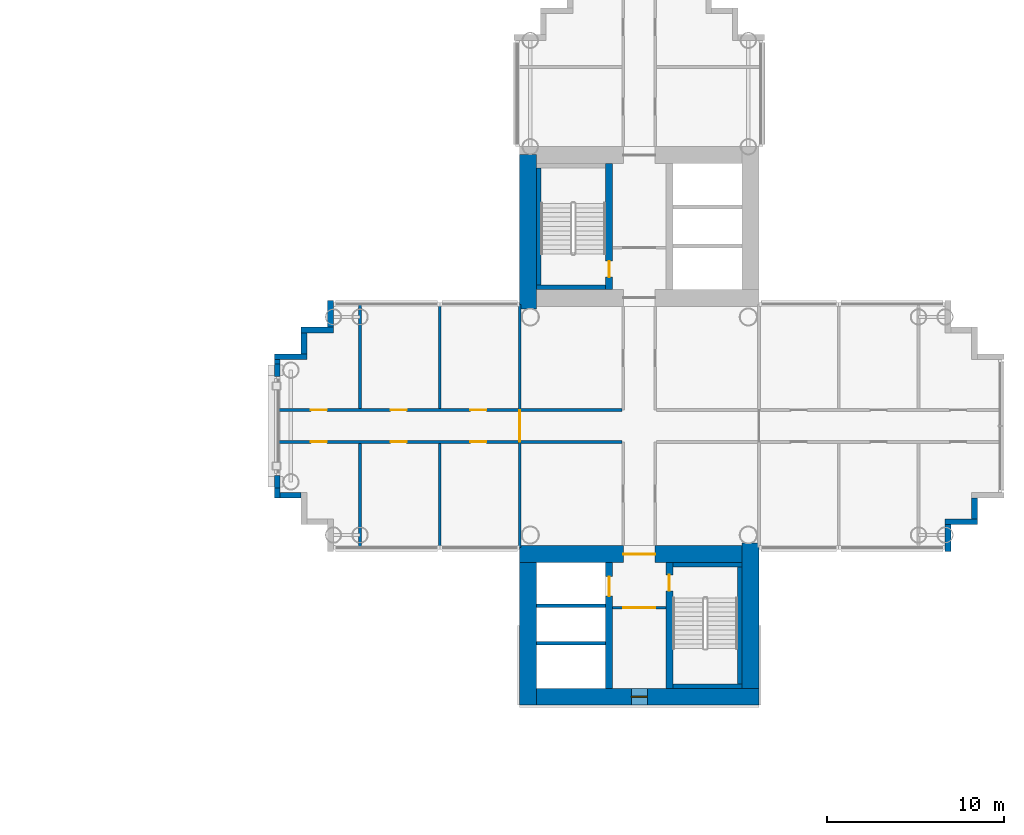
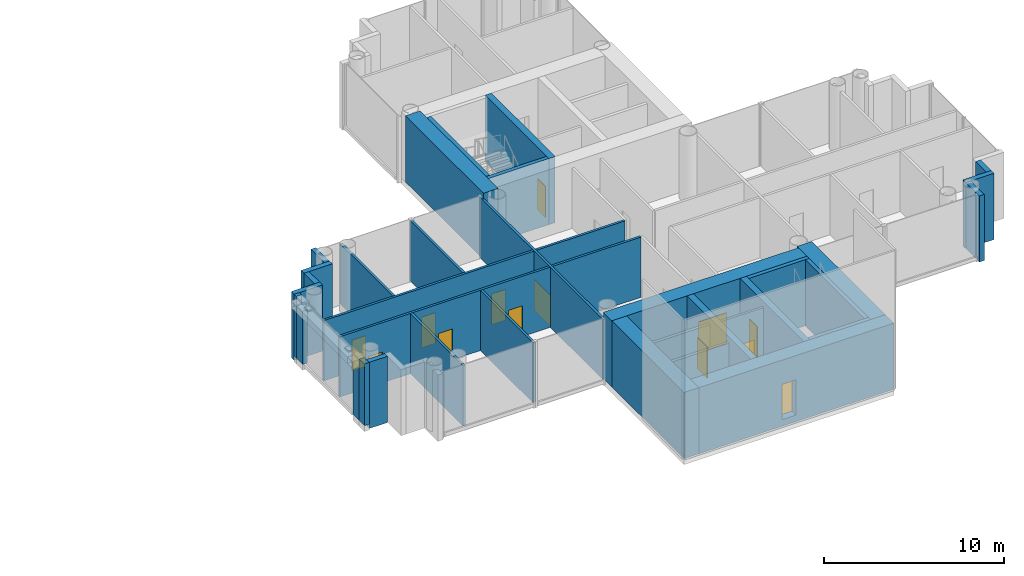
# One storey, part 13 of 20: 37 walls, 12 doors, 1 window, 13 openings.
"""IFC4 building model written with IfcOpenShell, lengths in metres."""

from ifc_helpers import new_model, si_unit, direction, frame, frame_2d, origin, place, context, subcontext, project, spatial, rectangle, extrude, material, layer, layer_set, type_object, element, fill, save


model = new_model("IFC4")

# Units and contexts
model_context = context("Model", 3, precision=1e-05, world=origin(), true_north=direction((0.0, 1.0)))
body_context = subcontext(model_context, "Body", "Model", "MODEL_VIEW")
ifc_project = project(units=[si_unit("LENGTHUNIT", "METRE"), si_unit("AREAUNIT", "SQUARE_METRE"), si_unit("VOLUMEUNIT", "CUBIC_METRE"), si_unit("PLANEANGLEUNIT", "RADIAN"), si_unit("MASSUNIT", "GRAM", prefix="KILO")], contexts=[model_context])

# Site, building, storey
site_placement = place(None, origin())
site = spatial("IfcSite", under=ifc_project, at=site_placement, CompositionType="ELEMENT")
building_placement = place(site_placement, origin())
building = spatial("IfcBuilding", under=site, at=building_placement, Name="Ipe Terrace Towers", CompositionType="ELEMENT")
storey_placement = place(building_placement, frame((0.0, 0.0, 124.199951171875)))
storey = spatial("IfcBuildingStorey", under=building, at=storey_placement, Name="L34", CompositionType="ELEMENT", Elevation=124.199951171875)

# Walls
ifc_material_1 = material(Name="Concrete C40/50 with buff precast cladding", Category="concrete")
ifc_layer_1 = layer(ifc_material_1, 0.320068359375)
ifc_layer_set_1 = layer_set([ifc_layer_1], Name="BUFF CLADDING WALL 320")
wall_type_1 = type_object("IfcWallType", Name="BUFF CLADDING WALL 320", PredefinedType="STANDARD", material=ifc_layer_set_1)
wall_1_placement = place(storey_placement, frame((53.409912109375, -7.070068359375, -0.300048828125), z_axis=(0.0, 0.0, 1.0), x_axis=(0.0, 1.0, 0.0)))
element("IfcWall", 1, at=wall_1_placement, inside=storey, type_object=wall_type_1, Name="T2-W-L34-04a wall", PredefinedType="STANDARD", context=body_context, shape_type="SweptSolid", body=[
    extrude(rectangle(XDim=1.5, YDim=0.320068359375, at=frame_2d((0.75, 0.0))), origin(), (0.0, 0.0, 1.0), 4.5),
])
wall_2_placement = place(storey_placement, frame((53.25, -5.409912109375, -0.300048828125), z_axis=(0.0, 0.0, 1.0), x_axis=(1.0, 0.0, 0.0)))
element("IfcWall", 2, at=wall_2_placement, inside=storey, type_object=wall_type_1, Name="T2-W-L34-05a wall", PredefinedType="STANDARD", context=body_context, shape_type="SweptSolid", body=[
    extrude(rectangle(XDim=1.820068359375, YDim=0.320068359375, at=frame_2d((0.91015625, 0.0))), origin(), (0.0, 0.0, 1.0), 4.5),
])
wall_3_placement = place(storey_placement, frame((54.909912109375, -5.25, -0.300048828125), z_axis=(0.0, 0.0, 1.0), x_axis=(0.0, 1.0, 0.0)))
element("IfcWall", 3, at=wall_3_placement, inside=storey, type_object=wall_type_1, Name="T2-W-L34-06a wall", PredefinedType="STANDARD", context=body_context, shape_type="SweptSolid", body=[
    extrude(rectangle(XDim=1.179931640625, YDim=0.320068359375, at=frame_2d((0.58984375, 0.0))), origin(), (0.0, 0.0, 1.0), 4.5),
])
wall_4_placement = place(storey_placement, frame((18.590087890625, 7.070068359375, -0.300048828125), z_axis=(0.0, 0.0, 1.0), x_axis=(0.0, -1.0, 0.0)))
element("IfcWall", 4, at=wall_4_placement, inside=storey, type_object=wall_type_1, Name="T2-W-L34-30a wall", PredefinedType="STANDARD", context=body_context, shape_type="SweptSolid", body=[
    extrude(rectangle(XDim=1.5, YDim=0.320068359375, at=frame_2d((0.75, 0.0))), origin(), (0.0, 0.0, 1.0), 4.5),
])
wall_5_placement = place(storey_placement, frame((18.75, 5.409912109375, -0.300048828125), z_axis=(0.0, 0.0, 1.0), x_axis=(-1.0, 0.0, 0.0)))
element("IfcWall", 5, at=wall_5_placement, inside=storey, type_object=wall_type_1, Name="T2-W-L34-31a wall", PredefinedType="STANDARD", context=body_context, shape_type="SweptSolid", body=[
    extrude(rectangle(XDim=1.820068359375, YDim=0.320068359375, at=frame_2d((0.91015625, 0.0))), origin(), (0.0, 0.0, 1.0), 4.5),
])
wall_6_placement = place(storey_placement, frame((17.090087890625, 5.25, -0.300048828125), z_axis=(0.0, 0.0, 1.0), x_axis=(0.0, -1.0, 0.0)))
element("IfcWall", 6, at=wall_6_placement, inside=storey, type_object=wall_type_1, Name="T2-W-L34-32a wall", PredefinedType="STANDARD", context=body_context, shape_type="SweptSolid", body=[
    extrude(rectangle(XDim=1.179931640625, YDim=0.320068359375, at=frame_2d((0.58984375, 0.0))), origin(), (0.0, 0.0, 1.0), 4.5),
])
wall_7_placement = place(storey_placement, frame((17.25, 3.909912109375, -0.300048828125), z_axis=(0.0, 0.0, 1.0), x_axis=(-1.0, 0.0, 0.0)))
element("IfcWall", 7, at=wall_7_placement, inside=storey, type_object=wall_type_1, Name="T2-W-L34-33a wall", PredefinedType="STANDARD", context=body_context, shape_type="SweptSolid", body=[
    extrude(rectangle(XDim=1.820068359375, YDim=0.320068359375, at=frame_2d((0.91015625, 0.0))), origin(), (0.0, 0.0, 1.0), 4.5),
])
wall_8_placement = place(storey_placement, frame((15.590087890625, 3.75, 0.0), z_axis=(0.0, 0.0, 1.0), x_axis=(0.0, -1.0, 0.0)))
element("IfcWall", 8, at=wall_8_placement, inside=storey, type_object=wall_type_1, Name="T2-W-L34-34a wall", PredefinedType="STANDARD", context=body_context, shape_type="SweptSolid", body=[
    extrude(rectangle(XDim=0.25, YDim=0.320068359375, at=frame_2d((0.125, 0.0))), origin(), (0.0, 0.0, 1.0), 4.199951171875),
])
for number, where, z_axis, x_axis, name in (
    (9, (15.590087890625, 3.5, 0.0), (0.0, 0.0, 1.0), (0.0, -1.0, 0.0), "T2-W-L34-34b wall"),
    (10, (15.590087890625, -2.800048828125, 0.0), (0.0, 0.0, 1.0), (0.0, -1.0, 0.0), "T2-W-L34-34e wall"),
):
    element("IfcWall", number, at=place(storey_placement, frame(where, z_axis=z_axis, x_axis=x_axis)), inside=storey, type_object=wall_type_1, Name=name, PredefinedType="STANDARD", context=body_context, shape_type="SweptSolid", body=[
        extrude(rectangle(XDim=0.699951171875, YDim=0.320068359375, at=frame_2d((0.35009765625, 0.0))), origin(), (0.0, 0.0, 1.0), 3.610107421875),
    ])
wall_9_placement = place(storey_placement, frame((15.590087890625, -3.5, 0.0), z_axis=(0.0, 0.0, 1.0), x_axis=(0.0, -1.0, 0.0)))
element("IfcWall", 11, at=wall_9_placement, inside=storey, type_object=wall_type_1, Name="T2-W-L34-34g wall", PredefinedType="STANDARD", context=body_context, shape_type="SweptSolid", body=[
    extrude(rectangle(XDim=0.570068359375, YDim=0.320068359375, at=frame_2d((0.28515625, 0.0))), origin(), (0.0, 0.0, 1.0), 4.199951171875),
])
wall_10_placement = place(storey_placement, frame((15.75, -3.909912109375, -0.300048828125), z_axis=(0.0, 0.0, 1.0), x_axis=(1.0, 0.0, 0.0)))
element("IfcWall", 12, at=wall_10_placement, inside=storey, type_object=wall_type_1, Name="T2-W-L34-35a wall", PredefinedType="STANDARD", context=body_context, shape_type="SweptSolid", body=[
    extrude(rectangle(XDim=1.179931640625, YDim=0.320068359375, at=frame_2d((0.58984375, 0.0))), origin(), (0.0, 0.0, 1.0), 4.5),
])

# Wall, opening, door
ifc_material_2 = material(Name="Gypsum board partition", Category="plasterboard")
ifc_layer_2 = layer(ifc_material_2, 0.14990234375)
ifc_layer_set_2 = layer_set([ifc_layer_2], Name="Gypsum board partition 150 mm")
wall_type_2 = type_object("IfcWallType", Name="Gypsum board partition 150 mm", PredefinedType="PARTITIONING", material=ifc_layer_set_2)
wall_11_placement = place(storey_placement, frame((34.5, -10.25, 0.0), z_axis=(0.0, 0.0, 1.0), x_axis=(1.0, 0.0, 0.0)))
wall_11 = element("IfcWall", 13, at=wall_11_placement, inside=storey, type_object=wall_type_2, Name="Gypsum board partition T2 L34 t2c2-lobby-wall", PredefinedType="PARTITIONING", context=body_context, shape_type="SweptSolid", body=[
    extrude(rectangle(XDim=3.0, YDim=0.14990234375, at=frame_2d((1.5, 0.0))), origin(), (0.0, 0.0, 1.0), 4.10009765625),
])
opening_1_placement = place(wall_11_placement, frame((0.60009765625, 0.0, 0.0)))
opening_1 = element("IfcOpeningElement", 14, at=opening_1_placement, cuts=wall_11, Name="Opening T2C2-VD", PredefinedType="OPENING", context=body_context, shape_type="SweptSolid", body=[
    extrude(rectangle(XDim=1.800048828125, YDim=2.10009765625, at=frame_2d((0.89990234375, 1.050048828125))), frame((0.0, 0.0849609375, 0.0), z_axis=(0.0, -1.0, 0.0), x_axis=(1.0, 0.0, 0.0)), (0.0, 0.0, 1.0), 0.169921875),
])
ifc_material_3 = material(Name="Fire-rated timber door leaf", Category="wood")
door_type_1 = type_object("IfcDoorType", Name="Lobby door 1800 x 2100 FD60", OperationType="NOTDEFINED", PredefinedType="DOOR", material=ifc_material_3)
door_1_placement = place(opening_1_placement, origin())
door_1 = element("IfcDoor", 15, at=door_1_placement, inside=storey, type_object=door_type_1, Name="Lobby door T2C2-VD", OperationType="SINGLE_SWING_LEFT", OverallHeight=2.10009765625, OverallWidth=1.800048828125, PredefinedType="DOOR", context=body_context, shape_type="SweptSolid", body=[
    extrude(rectangle(XDim=1.800048828125, YDim=2.10009765625, at=frame_2d((0.89990234375, 1.050048828125))), frame((0.0, 0.02490234375, 0.0), z_axis=(0.0, -1.0, 0.0), x_axis=(1.0, 0.0, 0.0)), (0.0, 0.0, 1.0), 0.050048828125),
])
fill(opening_1, door_1)

# Walls
for number, where, z_axis, x_axis, name in (
    (16, (35.02490234375, 0.89990234375, 0.0), (0.0, 0.0, 1.0), (-1.0, 0.0, 0.0), "Gypsum board partition T2 L34 sp-hub-qen-y"),
    (17, (35.02490234375, -0.89990234375, 0.0), (0.0, 0.0, 1.0), (-1.0, 0.0, 0.0), "Gypsum board partition T2 L34 sp-hub-qwn-y"),
):
    element("IfcWall", number, at=place(storey_placement, frame(where, z_axis=z_axis, x_axis=x_axis)), inside=storey, type_object=wall_type_2, Name=name, PredefinedType="PARTITIONING", context=body_context, shape_type="SweptSolid", body=[
        extrude(rectangle(XDim=5.699951171875, YDim=0.14990234375, at=frame_2d((2.85009765625, 0.0))), origin(), (0.0, 0.0, 1.0), 4.10009765625),
    ])

# Wall, opening, door
wall_12_placement = place(storey_placement, frame((29.25, -6.85009765625, 0.0), z_axis=(0.0, 0.0, 1.0), x_axis=(0.0, 1.0, 0.0)))
wall_12 = element("IfcWall", 18, at=wall_12_placement, inside=storey, type_object=wall_type_2, Name="Gypsum board partition T2 L34 sp-Sp-mouth", PredefinedType="PARTITIONING", context=body_context, shape_type="SweptSolid", body=[
    extrude(rectangle(XDim=13.7001953125, YDim=0.14990234375, at=frame_2d((6.85009765625, 0.0))), origin(), (0.0, 0.0, 1.0), 4.10009765625),
])
opening_2_placement = place(wall_12_placement, frame((5.949951171875, 0.0, 0.0)))
opening_2 = element("IfcOpeningElement", 19, at=opening_2_placement, cuts=wall_12, Name="Opening T2-SP-MSp", PredefinedType="OPENING", context=body_context, shape_type="SweptSolid", body=[
    extrude(rectangle(XDim=1.800048828125, YDim=2.10009765625, at=frame_2d((0.89990234375, 1.050048828125))), frame((0.0, 0.0849609375, 0.0), z_axis=(0.0, -1.0, 0.0), x_axis=(1.0, 0.0, 0.0)), (0.0, 0.0, 1.0), 0.169921875),
])
ifc_material_4 = material(Name="Fire-rated timber door leaf", Category="wood")
door_type_2 = type_object("IfcDoorType", Name="Lobby door 1800 x 2100 FD30S", OperationType="NOTDEFINED", PredefinedType="DOOR", material=ifc_material_4)
door_2_placement = place(opening_2_placement, origin())
door_2 = element("IfcDoor", 20, at=door_2_placement, inside=storey, type_object=door_type_2, Name="Lobby door T2-SP-MSp", OperationType="SINGLE_SWING_LEFT", OverallHeight=2.10009765625, OverallWidth=1.800048828125, PredefinedType="DOOR", context=body_context, shape_type="SweptSolid", body=[
    extrude(rectangle(XDim=1.800048828125, YDim=2.10009765625, at=frame_2d((0.89990234375, 1.050048828125))), frame((0.0, 0.02490234375, 0.0), z_axis=(0.0, -1.0, 0.0), x_axis=(1.0, 0.0, 0.0)), (0.0, 0.0, 1.0), 0.050048828125),
])
fill(opening_2, door_2)

# Wall, openings, doors
wall_13_placement = place(storey_placement, frame((29.175048828125, 0.89990234375, 0.0), z_axis=(0.0, 0.0, 1.0), x_axis=(-1.0, 0.0, 0.0)))
wall_13 = element("IfcWall", 21, at=wall_13_placement, inside=storey, type_object=wall_type_2, Name="Gypsum board partition T2 L34 sp-Sp-wp", PredefinedType="PARTITIONING", context=body_context, shape_type="SweptSolid", body=[
    extrude(rectangle(XDim=13.525146484375, YDim=0.14990234375, at=frame_2d((6.7626953125, 0.0))), origin(), (0.0, 0.0, 1.0), 4.10009765625),
])
opening_3_placement = place(wall_13_placement, frame((1.800048828125, 0.0, 0.0)))
opening_3 = element("IfcOpeningElement", 22, at=opening_3_placement, cuts=wall_13, Name="Opening T2-SP-PSp1-FD60", PredefinedType="OPENING", context=body_context, shape_type="SweptSolid", body=[
    extrude(rectangle(XDim=0.89990234375, YDim=2.10009765625, at=frame_2d((0.449951171875, 1.050048828125))), frame((0.0, 0.0849609375, 0.0), z_axis=(0.0, -1.0, 0.0), x_axis=(1.0, 0.0, 0.0)), (0.0, 0.0, 1.0), 0.169921875),
])
opening_4_placement = place(wall_13_placement, frame((6.300048828125, 0.0, 0.0)))
opening_4 = element("IfcOpeningElement", 23, at=opening_4_placement, cuts=wall_13, Name="Opening T2-SP-PSp2-FD60", PredefinedType="OPENING", context=body_context, shape_type="SweptSolid", body=[
    extrude(rectangle(XDim=0.89990234375, YDim=2.10009765625, at=frame_2d((0.449951171875, 1.050048828125))), frame((0.0, 0.0849609375, 0.0), z_axis=(0.0, -1.0, 0.0), x_axis=(1.0, 0.0, 0.0)), (0.0, 0.0, 1.0), 0.169921875),
])
opening_5_placement = place(wall_13_placement, frame((10.800048828125, 0.0, 0.0)))
opening_5 = element("IfcOpeningElement", 24, at=opening_5_placement, cuts=wall_13, Name="Opening T2-SP-PSp3-FD60", PredefinedType="OPENING", context=body_context, shape_type="SweptSolid", body=[
    extrude(rectangle(XDim=0.89990234375, YDim=2.10009765625, at=frame_2d((0.449951171875, 1.050048828125))), frame((0.0, 0.0849609375, 0.0), z_axis=(0.0, -1.0, 0.0), x_axis=(1.0, 0.0, 0.0)), (0.0, 0.0, 1.0), 0.169921875),
])
ifc_material_5 = material(Name="Fire-rated timber door leaf", Category="wood")
door_type_3 = type_object("IfcDoorType", Name="Service door 900 x 2100 FD60", OperationType="NOTDEFINED", PredefinedType="DOOR", material=ifc_material_5)
door_3_placement = place(opening_3_placement, origin())
door_3 = element("IfcDoor", 25, at=door_3_placement, inside=storey, type_object=door_type_3, Name="Service door T2-SP-PSp1-FD60", OperationType="SINGLE_SWING_LEFT", OverallHeight=2.10009765625, OverallWidth=0.89990234375, PredefinedType="DOOR", context=body_context, shape_type="SweptSolid", body=[
    extrude(rectangle(XDim=0.89990234375, YDim=2.10009765625, at=frame_2d((0.449951171875, 1.050048828125))), frame((0.0, 0.02490234375, 0.0), z_axis=(0.0, -1.0, 0.0), x_axis=(1.0, 0.0, 0.0)), (0.0, 0.0, 1.0), 0.050048828125),
])
fill(opening_3, door_3)
door_4_placement = place(opening_4_placement, origin())
door_4 = element("IfcDoor", 26, at=door_4_placement, inside=storey, type_object=door_type_3, Name="Service door T2-SP-PSp2-FD60", OperationType="SINGLE_SWING_RIGHT", OverallHeight=2.10009765625, OverallWidth=0.89990234375, PredefinedType="DOOR", context=body_context, shape_type="SweptSolid", body=[
    extrude(rectangle(XDim=0.89990234375, YDim=2.10009765625, at=frame_2d((0.449951171875, 1.050048828125))), frame((0.0, 0.02490234375, 0.0), z_axis=(0.0, -1.0, 0.0), x_axis=(1.0, 0.0, 0.0)), (0.0, 0.0, 1.0), 0.050048828125),
])
fill(opening_4, door_4)
door_5_placement = place(opening_5_placement, origin())
door_5 = element("IfcDoor", 27, at=door_5_placement, inside=storey, type_object=door_type_3, Name="Service door T2-SP-PSp3-FD60", OperationType="SINGLE_SWING_LEFT", OverallHeight=2.10009765625, OverallWidth=0.89990234375, PredefinedType="DOOR", context=body_context, shape_type="SweptSolid", body=[
    extrude(rectangle(XDim=0.89990234375, YDim=2.10009765625, at=frame_2d((0.449951171875, 1.050048828125))), frame((0.0, 0.02490234375, 0.0), z_axis=(0.0, -1.0, 0.0), x_axis=(1.0, 0.0, 0.0)), (0.0, 0.0, 1.0), 0.050048828125),
])
fill(opening_5, door_5)

# Walls
for number, where, z_axis, x_axis, name in (
    (28, (24.75, 0.97509765625, 0.0), (0.0, 0.0, 1.0), (0.0, 1.0, 0.0), "Gypsum board partition T2 L34 sp-Sp-dp1"),
    (29, (20.25, 0.97509765625, 0.0), (0.0, 0.0, 1.0), (0.0, 1.0, 0.0), "Gypsum board partition T2 L34 sp-Sp-dp2"),
):
    element("IfcWall", number, at=place(storey_placement, frame(where, z_axis=z_axis, x_axis=x_axis)), inside=storey, type_object=wall_type_2, Name=name, PredefinedType="PARTITIONING", context=body_context, shape_type="SweptSolid", body=[
        extrude(rectangle(XDim=5.875, YDim=0.14990234375, at=frame_2d((2.9375, 0.0))), origin(), (0.0, 0.0, 1.0), 4.10009765625),
    ])

# Wall, openings, doors
wall_14_placement = place(storey_placement, frame((29.175048828125, -0.89990234375, 0.0), z_axis=(0.0, 0.0, 1.0), x_axis=(-1.0, 0.0, 0.0)))
wall_14 = element("IfcWall", 30, at=wall_14_placement, inside=storey, type_object=wall_type_2, Name="Gypsum board partition T2 L34 sp-Sp-wm", PredefinedType="PARTITIONING", context=body_context, shape_type="SweptSolid", body=[
    extrude(rectangle(XDim=13.525146484375, YDim=0.14990234375, at=frame_2d((6.7626953125, 0.0))), origin(), (0.0, 0.0, 1.0), 4.10009765625),
])
opening_6_placement = place(wall_14_placement, frame((1.800048828125, 0.0, 0.0)))
opening_6 = element("IfcOpeningElement", 31, at=opening_6_placement, cuts=wall_14, Name="Opening T2-SP-MSp1-FD60", PredefinedType="OPENING", context=body_context, shape_type="SweptSolid", body=[
    extrude(rectangle(XDim=0.89990234375, YDim=2.10009765625, at=frame_2d((0.449951171875, 1.050048828125))), frame((0.0, 0.0849609375, 0.0), z_axis=(0.0, -1.0, 0.0), x_axis=(1.0, 0.0, 0.0)), (0.0, 0.0, 1.0), 0.169921875),
])
opening_7_placement = place(wall_14_placement, frame((6.300048828125, 0.0, 0.0)))
opening_7 = element("IfcOpeningElement", 32, at=opening_7_placement, cuts=wall_14, Name="Opening T2-SP-MSp2-FD60", PredefinedType="OPENING", context=body_context, shape_type="SweptSolid", body=[
    extrude(rectangle(XDim=0.89990234375, YDim=2.10009765625, at=frame_2d((0.449951171875, 1.050048828125))), frame((0.0, 0.0849609375, 0.0), z_axis=(0.0, -1.0, 0.0), x_axis=(1.0, 0.0, 0.0)), (0.0, 0.0, 1.0), 0.169921875),
])
opening_8_placement = place(wall_14_placement, frame((10.800048828125, 0.0, 0.0)))
opening_8 = element("IfcOpeningElement", 33, at=opening_8_placement, cuts=wall_14, Name="Opening T2-SP-MSp3-FD60", PredefinedType="OPENING", context=body_context, shape_type="SweptSolid", body=[
    extrude(rectangle(XDim=0.89990234375, YDim=2.10009765625, at=frame_2d((0.449951171875, 1.050048828125))), frame((0.0, 0.0849609375, 0.0), z_axis=(0.0, -1.0, 0.0), x_axis=(1.0, 0.0, 0.0)), (0.0, 0.0, 1.0), 0.169921875),
])
door_6_placement = place(opening_6_placement, origin())
door_6 = element("IfcDoor", 34, at=door_6_placement, inside=storey, type_object=door_type_3, Name="Service door T2-SP-MSp1-FD60", OperationType="SINGLE_SWING_RIGHT", OverallHeight=2.10009765625, OverallWidth=0.89990234375, PredefinedType="DOOR", context=body_context, shape_type="SweptSolid", body=[
    extrude(rectangle(XDim=0.89990234375, YDim=2.10009765625, at=frame_2d((0.449951171875, 1.050048828125))), frame((0.0, 0.02490234375, 0.0), z_axis=(0.0, -1.0, 0.0), x_axis=(1.0, 0.0, 0.0)), (0.0, 0.0, 1.0), 0.050048828125),
])
fill(opening_6, door_6)
door_7_placement = place(opening_7_placement, origin())
door_7 = element("IfcDoor", 35, at=door_7_placement, inside=storey, type_object=door_type_3, Name="Service door T2-SP-MSp2-FD60", OperationType="SINGLE_SWING_LEFT", OverallHeight=2.10009765625, OverallWidth=0.89990234375, PredefinedType="DOOR", context=body_context, shape_type="SweptSolid", body=[
    extrude(rectangle(XDim=0.89990234375, YDim=2.10009765625, at=frame_2d((0.449951171875, 1.050048828125))), frame((0.0, 0.02490234375, 0.0), z_axis=(0.0, -1.0, 0.0), x_axis=(1.0, 0.0, 0.0)), (0.0, 0.0, 1.0), 0.050048828125),
])
fill(opening_7, door_7)
door_8_placement = place(opening_8_placement, origin())
door_8 = element("IfcDoor", 36, at=door_8_placement, inside=storey, type_object=door_type_3, Name="Service door T2-SP-MSp3-FD60", OperationType="SINGLE_SWING_RIGHT", OverallHeight=2.10009765625, OverallWidth=0.89990234375, PredefinedType="DOOR", context=body_context, shape_type="SweptSolid", body=[
    extrude(rectangle(XDim=0.89990234375, YDim=2.10009765625, at=frame_2d((0.449951171875, 1.050048828125))), frame((0.0, 0.02490234375, 0.0), z_axis=(0.0, -1.0, 0.0), x_axis=(1.0, 0.0, 0.0)), (0.0, 0.0, 1.0), 0.050048828125),
])
fill(opening_8, door_8)

# Walls
for number, where, z_axis, x_axis, name in (
    (37, (24.75, -0.97509765625, 0.0), (0.0, 0.0, 1.0), (0.0, -1.0, 0.0), "Gypsum board partition T2 L34 sp-Sp-dm1"),
    (38, (20.25, -0.97509765625, 0.0), (0.0, 0.0, 1.0), (0.0, -1.0, 0.0), "Gypsum board partition T2 L34 sp-Sp-dm2"),
):
    element("IfcWall", number, at=place(storey_placement, frame(where, z_axis=z_axis, x_axis=x_axis)), inside=storey, type_object=wall_type_2, Name=name, PredefinedType="PARTITIONING", context=body_context, shape_type="SweptSolid", body=[
        extrude(rectangle(XDim=5.875, YDim=0.14990234375, at=frame_2d((2.9375, 0.0))), origin(), (0.0, 0.0, 1.0), 4.10009765625),
    ])
ifc_material_6 = material(Name="Gypsum board party wall", Category="plasterboard")
ifc_layer_3 = layer(ifc_material_6, 0.199951171875)
ifc_layer_set_3 = layer_set([ifc_layer_3], Name="Gypsum board party wall 200 mm")
wall_type_3 = type_object("IfcWallType", Name="Gypsum board party wall 200 mm", PredefinedType="SOLIDWALL", material=ifc_layer_set_3)
for number, where, z_axis, x_axis, name in (
    (39, (30.199951171875, -10.14990234375, 0.0), (0.0, 0.0, 1.0), (1.0, 0.0, 0.0), "Gypsum board party wall T2 L34 t2c2-shaft-div1"),
    (40, (30.199951171875, -12.25, 0.0), (0.0, 0.0, 1.0), (1.0, 0.0, 0.0), "Gypsum board party wall T2 L34 t2c2-shaft-div2"),
):
    element("IfcWall", number, at=place(storey_placement, frame(where, z_axis=z_axis, x_axis=x_axis)), inside=storey, type_object=wall_type_3, Name=name, PredefinedType="SOLIDWALL", context=body_context, shape_type="SweptSolid", body=[
        extrude(rectangle(XDim=3.900146484375, YDim=0.199951171875, at=frame_2d((1.9501953125, 0.0))), origin(), (0.0, 0.0, 1.0), 4.10009765625),
    ])
ifc_material_7 = material(Name="Concrete C50/60", Category="concrete")
ifc_layer_4 = layer(ifc_material_7, 0.25)
ifc_layer_set_4 = layer_set([ifc_layer_4], Name="RW250 CORE INFILL WALL 250 C50-60")
wall_type_4 = type_object("IfcWallType", Name="RW250 CORE INFILL WALL 250 C50-60", PredefinedType="SHEAR", material=ifc_layer_set_4)
wall_15_placement = place(storey_placement, frame((30.324951171875, 7.949951171875, 0.0), z_axis=(0.0, 0.0, 1.0), x_axis=(0.0, 1.0, 0.0)))
element("IfcWall", 41, at=wall_15_placement, inside=storey, type_object=wall_type_4, Name="Core infill wall T2-C1-back", PredefinedType="SHEAR", context=body_context, shape_type="SweptSolid", body=[
    extrude(rectangle(XDim=6.60009765625, YDim=0.25, at=frame_2d((3.300048828125, 0.0))), origin(), (0.0, 0.0, 1.0), 4.5),
])
for number, where, z_axis, x_axis, name in (
    (42, (34.10009765625, 7.824951171875, 0.0), (0.0, 0.0, 1.0), (-1.0, 0.0, 0.0), "Core infill wall T2-C1-near"),
    (43, (37.89990234375, -14.675048828125, 0.0), (0.0, 0.0, 1.0), (1.0, 0.0, 0.0), "Core infill wall T2-C2-far"),
):
    element("IfcWall", number, at=place(storey_placement, frame(where, z_axis=z_axis, x_axis=x_axis)), inside=storey, type_object=wall_type_4, Name=name, PredefinedType="SHEAR", context=body_context, shape_type="SweptSolid", body=[
        extrude(rectangle(XDim=3.900146484375, YDim=0.25, at=frame_2d((1.9501953125, 0.0))), origin(), (0.0, 0.0, 1.0), 4.5),
    ])
wall_16_placement = place(storey_placement, frame((41.675048828125, -7.949951171875, 0.0), z_axis=(0.0, 0.0, 1.0), x_axis=(0.0, -1.0, 0.0)))
element("IfcWall", 44, at=wall_16_placement, inside=storey, type_object=wall_type_4, Name="Core infill wall T2-C2-back", PredefinedType="SHEAR", context=body_context, shape_type="SweptSolid", body=[
    extrude(rectangle(XDim=6.60009765625, YDim=0.25, at=frame_2d((3.300048828125, 0.0))), origin(), (0.0, 0.0, 1.0), 4.5),
])
wall_17_placement = place(storey_placement, frame((37.89990234375, -7.824951171875, 0.0), z_axis=(0.0, 0.0, 1.0), x_axis=(1.0, 0.0, 0.0)))
element("IfcWall", 45, at=wall_17_placement, inside=storey, type_object=wall_type_4, Name="Core infill wall T2-C2-near", PredefinedType="SHEAR", context=body_context, shape_type="SweptSolid", body=[
    extrude(rectangle(XDim=3.900146484375, YDim=0.25, at=frame_2d((1.9501953125, 0.0))), origin(), (0.0, 0.0, 1.0), 4.5),
])

# Wall, opening, door
ifc_material_8 = material(Name="Concrete C50/60", Category="concrete")
ifc_layer_5 = layer(ifc_material_8, 0.39990234375)
ifc_layer_set_5 = layer_set([ifc_layer_5], Name="RW400 CORE SPINE WALL 400 C50-60")
wall_type_5 = type_object("IfcWallType", Name="RW400 CORE SPINE WALL 400 C50-60", PredefinedType="SHEAR", material=ifc_layer_set_5)
wall_18_placement = place(storey_placement, frame((34.300048828125, 7.699951171875, 0.0), z_axis=(0.0, 0.0, 1.0), x_axis=(0.0, 1.0, 0.0)))
wall_18 = element("IfcWall", 46, at=wall_18_placement, inside=storey, type_object=wall_type_5, Name="Core spine wall T2-C1-Z2-SW1", PredefinedType="SHEAR", context=body_context, shape_type="SweptSolid", body=[
    extrude(rectangle(XDim=7.10009765625, YDim=0.39990234375, at=frame_2d((3.550048828125, 0.0))), origin(), (0.0, 0.0, 1.0), 4.5),
])
opening_9_placement = place(wall_18_placement, frame((0.699951171875, 0.0, 0.0)))
opening_9 = element("IfcOpeningElement", 47, at=opening_9_placement, cuts=wall_18, Name="Opening T2C1-SD", PredefinedType="OPENING", context=body_context, shape_type="SweptSolid", body=[
    extrude(rectangle(XDim=0.89990234375, YDim=2.10009765625, at=frame_2d((0.449951171875, 1.050048828125))), frame((0.0, 0.2099609375, 0.0), z_axis=(0.0, -1.0, 0.0), x_axis=(1.0, 0.0, 0.0)), (0.0, 0.0, 1.0), 0.419921875),
])
ifc_material_9 = material(Name="Fire-rated timber door leaf", Category="wood")
door_type_4 = type_object("IfcDoorType", Name="Stair door 900 x 2100 FD60", OperationType="NOTDEFINED", PredefinedType="DOOR", material=ifc_material_9)
door_9_placement = place(opening_9_placement, origin())
door_9 = element("IfcDoor", 48, at=door_9_placement, inside=storey, type_object=door_type_4, Name="Stair door T2C1-SD", OperationType="SINGLE_SWING_LEFT", OverallHeight=2.10009765625, OverallWidth=0.89990234375, PredefinedType="DOOR", context=body_context, shape_type="SweptSolid", body=[
    extrude(rectangle(XDim=0.89990234375, YDim=2.10009765625, at=frame_2d((0.449951171875, 1.050048828125))), frame((0.0, 0.02490234375, 0.0), z_axis=(0.0, -1.0, 0.0), x_axis=(1.0, 0.0, 0.0)), (0.0, 0.0, 1.0), 0.050048828125),
])
fill(opening_9, door_9)

wall_19_placement = place(storey_placement, frame((34.300048828125, -14.800048828125, 0.0), z_axis=(0.0, 0.0, 1.0), x_axis=(0.0, 1.0, 0.0)))
wall_19 = element("IfcWall", 49, at=wall_19_placement, inside=storey, type_object=wall_type_5, Name="Core spine wall T2-C2-Z2-SW1", PredefinedType="SHEAR", context=body_context, shape_type="SweptSolid", body=[
    extrude(rectangle(XDim=7.10009765625, YDim=0.39990234375, at=frame_2d((3.550048828125, 0.0))), origin(), (0.0, 0.0, 1.0), 4.5),
])
opening_10_placement = place(wall_19_placement, frame((5.199951171875, 0.0, 0.0)))
opening_10 = element("IfcOpeningElement", 50, at=opening_10_placement, cuts=wall_19, Name="Opening T2C2-LD1", PredefinedType="OPENING", context=body_context, shape_type="SweptSolid", body=[
    extrude(rectangle(XDim=1.10009765625, YDim=2.10009765625, at=frame_2d((0.550048828125, 1.050048828125))), frame((0.0, 0.2099609375, 0.0), z_axis=(0.0, -1.0, 0.0), x_axis=(1.0, 0.0, 0.0)), (0.0, 0.0, 1.0), 0.419921875),
])
ifc_material_10 = material(Name="Fire-rated timber door leaf", Category="wood")
door_type_5 = type_object("IfcDoorType", Name="Sliding door 1100 x 2100 FD60", OperationType="SLIDING_TO_LEFT", PredefinedType="DOOR", material=ifc_material_10)
door_10_placement = place(opening_10_placement, origin())
door_10 = element("IfcDoor", 51, at=door_10_placement, inside=storey, type_object=door_type_5, Name="Sliding door T2C2-LD1", OperationType="SLIDING_TO_LEFT", OverallHeight=2.10009765625, OverallWidth=1.10009765625, PredefinedType="DOOR", context=body_context, shape_type="SweptSolid", body=[
    extrude(rectangle(XDim=1.10009765625, YDim=2.10009765625, at=frame_2d((0.550048828125, 1.050048828125))), frame((0.0, 0.02490234375, 0.0), z_axis=(0.0, -1.0, 0.0), x_axis=(1.0, 0.0, 0.0)), (0.0, 0.0, 1.0), 0.050048828125),
])
fill(opening_10, door_10)

wall_20_placement = place(storey_placement, frame((37.699951171875, -14.800048828125, 0.0), z_axis=(0.0, 0.0, 1.0), x_axis=(0.0, 1.0, 0.0)))
wall_20 = element("IfcWall", 52, at=wall_20_placement, inside=storey, type_object=wall_type_5, Name="Core spine wall T2-C2-Z2-SW2", PredefinedType="SHEAR", context=body_context, shape_type="SweptSolid", body=[
    extrude(rectangle(XDim=7.10009765625, YDim=0.39990234375, at=frame_2d((3.550048828125, 0.0))), origin(), (0.0, 0.0, 1.0), 4.5),
])
opening_11_placement = place(wall_20_placement, frame((5.5, 0.0, 0.0)))
opening_11 = element("IfcOpeningElement", 53, at=opening_11_placement, cuts=wall_20, Name="Opening T2C2-SD", PredefinedType="OPENING", context=body_context, shape_type="SweptSolid", body=[
    extrude(rectangle(XDim=0.89990234375, YDim=2.10009765625, at=frame_2d((0.449951171875, 1.050048828125))), frame((0.0, 0.2099609375, 0.0), z_axis=(0.0, -1.0, 0.0), x_axis=(1.0, 0.0, 0.0)), (0.0, 0.0, 1.0), 0.419921875),
])
door_11_placement = place(opening_11_placement, origin())
door_11 = element("IfcDoor", 54, at=door_11_placement, inside=storey, type_object=door_type_4, Name="Stair door T2C2-SD", OperationType="SINGLE_SWING_RIGHT", OverallHeight=2.10009765625, OverallWidth=0.89990234375, PredefinedType="DOOR", context=body_context, shape_type="SweptSolid", body=[
    extrude(rectangle(XDim=0.89990234375, YDim=2.10009765625, at=frame_2d((0.449951171875, 1.050048828125))), frame((0.0, 0.02490234375, 0.0), z_axis=(0.0, -1.0, 0.0), x_axis=(1.0, 0.0, 0.0)), (0.0, 0.0, 1.0), 0.050048828125),
])
fill(opening_11, door_11)

# Wall
ifc_material_11 = material(Name="Concrete C50/60", Category="concrete")
ifc_layer_6 = layer(ifc_material_11, 0.949951171875)
ifc_layer_set_6 = layer_set([ifc_layer_6], Name="RW950 CORE WALL 950 C50-60")
wall_type_6 = type_object("IfcWallType", Name="RW950 CORE WALL 950 C50-60", PredefinedType="SHEAR", material=ifc_layer_set_6)
wall_21_placement = place(storey_placement, frame((29.72509765625, 15.298095703125, 0.0), z_axis=(0.0, 0.0, 1.0), x_axis=(0.0, -1.0, 0.0)))
element("IfcWall", 55, at=wall_21_placement, inside=storey, type_object=wall_type_6, Name="Core wall T2-C1-Z2-W04", PredefinedType="SHEAR", context=body_context, shape_type="SweptSolid", body=[
    extrude(rectangle(XDim=8.696044921875, YDim=0.949951171875, at=frame_2d((4.34814453125, 0.0))), origin(), (0.0, 0.0, 1.0), 4.5),
])

# Wall, opening, window
wall_22_placement = place(storey_placement, frame((30.199951171875, -15.27490234375, 0.0), z_axis=(0.0, 0.0, 1.0), x_axis=(1.0, 0.0, 0.0)))
wall_22 = element("IfcWall", 56, at=wall_22_placement, inside=storey, type_object=wall_type_6, Name="Core wall T2-C2-Z2-W01", PredefinedType="SHEAR", context=body_context, shape_type="SweptSolid", body=[
    extrude(rectangle(XDim=12.550048828125, YDim=0.949951171875, at=frame_2d((6.27490234375, 0.0))), origin(), (0.0, 0.0, 1.0), 4.5),
])
opening_12_placement = place(wall_22_placement, frame((5.35009765625, 0.0, 0.449951171875)))
opening_12 = element("IfcOpeningElement", 57, at=opening_12_placement, cuts=wall_22, Name="Opening T2-C2-W-01-L34", PredefinedType="OPENING", context=body_context, shape_type="SweptSolid", body=[
    extrude(rectangle(XDim=0.89990234375, YDim=2.39990234375, at=frame_2d((0.449951171875, 1.199951171875))), frame((0.0, 0.48486328125, 0.0), z_axis=(0.0, -1.0, 0.0), x_axis=(1.0, 0.0, 0.0)), (0.0, 0.0, 1.0), 0.969970703125),
])
ifc_material_12 = material(Name="Fire-resistant glazing EI 60", Category="glass")
window_type = type_object("IfcWindowType", Name="CORRIDOR END SLOT WINDOW 900 x 2400 EI 60", PartitioningType="SINGLE_PANEL", PredefinedType="WINDOW", material=ifc_material_12)
window_placement = place(opening_12_placement, origin())
window = element("IfcWindow", 58, at=window_placement, inside=storey, type_object=window_type, Name="W-01 window", OverallHeight=2.39990234375, OverallWidth=0.89990234375, PartitioningType="SINGLE_PANEL", PredefinedType="WINDOW", context=body_context, shape_type="SweptSolid", body=[
    extrude(rectangle(XDim=0.89990234375, YDim=2.39990234375, at=frame_2d((0.449951171875, 1.199951171875))), frame((0.0, 0.030029296875, 0.0), z_axis=(0.0, -1.0, 0.0), x_axis=(1.0, 0.0, 0.0)), (0.0, 0.0, 1.0), 0.06005859375),
])
fill(opening_12, window)

# Wall
wall_23_placement = place(storey_placement, frame((42.27490234375, -14.800048828125, 0.0), z_axis=(0.0, 0.0, 1.0), x_axis=(0.0, 1.0, 0.0)))
element("IfcWall", 59, at=wall_23_placement, inside=storey, type_object=wall_type_6, Name="Core wall T2-C2-Z2-W02", PredefinedType="SHEAR", context=body_context, shape_type="SweptSolid", body=[
    extrude(rectangle(XDim=8.197998046875, YDim=0.949951171875, at=frame_2d((4.09912109375, 0.0))), origin(), (0.0, 0.0, 1.0), 4.5),
])

# Wall, opening, door
wall_24_placement = place(storey_placement, frame((41.800048828125, -7.22509765625, 0.0), z_axis=(0.0, 0.0, 1.0), x_axis=(-1.0, 0.0, 0.0)))
wall_24 = element("IfcWall", 60, at=wall_24_placement, inside=storey, type_object=wall_type_6, Name="Core wall T2-C2-Z2-W03", PredefinedType="SHEAR", context=body_context, shape_type="SweptSolid", body=[
    extrude(rectangle(XDim=12.550048828125, YDim=0.949951171875, at=frame_2d((6.27490234375, 0.0))), origin(), (0.0, 0.0, 1.0), 4.5),
])
opening_13_placement = place(wall_24_placement, frame((4.89990234375, 0.0, 0.0)))
opening_13 = element("IfcOpeningElement", 61, at=opening_13_placement, cuts=wall_24, Name="Opening T2C2-ND", PredefinedType="OPENING", context=body_context, shape_type="SweptSolid", body=[
    extrude(rectangle(XDim=1.800048828125, YDim=2.10009765625, at=frame_2d((0.89990234375, 1.050048828125))), frame((0.0, 0.48486328125, 0.0), z_axis=(0.0, -1.0, 0.0), x_axis=(1.0, 0.0, 0.0)), (0.0, 0.0, 1.0), 0.969970703125),
])
ifc_material_13 = material(Name="Fire-rated timber door leaf", Category="wood")
door_type_6 = type_object("IfcDoorType", Name="Fire door 1800 x 2100 FD30S", OperationType="NOTDEFINED", PredefinedType="DOOR", material=ifc_material_13)
door_12_placement = place(opening_13_placement, origin())
door_12 = element("IfcDoor", 62, at=door_12_placement, inside=storey, type_object=door_type_6, Name="Fire door T2C2-ND", OperationType="SINGLE_SWING_LEFT", OverallHeight=2.10009765625, OverallWidth=1.800048828125, PredefinedType="DOOR", context=body_context, shape_type="SweptSolid", body=[
    extrude(rectangle(XDim=1.800048828125, YDim=2.10009765625, at=frame_2d((0.89990234375, 1.050048828125))), frame((0.0, 0.02490234375, 0.0), z_axis=(0.0, -1.0, 0.0), x_axis=(1.0, 0.0, 0.0)), (0.0, 0.0, 1.0), 0.050048828125),
])
fill(opening_13, door_12)

# Wall
wall_25_placement = place(storey_placement, frame((29.72509765625, -7.699951171875, 0.0), z_axis=(0.0, 0.0, 1.0), x_axis=(0.0, -1.0, 0.0)))
element("IfcWall", 63, at=wall_25_placement, inside=storey, type_object=wall_type_6, Name="Core wall T2-C2-Z2-W04", PredefinedType="SHEAR", context=body_context, shape_type="SweptSolid", body=[
    extrude(rectangle(XDim=8.050048828125, YDim=0.949951171875, at=frame_2d((4.02490234375, 0.0))), origin(), (0.0, 0.0, 1.0), 4.5),
])

save(model, "model.ifc")
